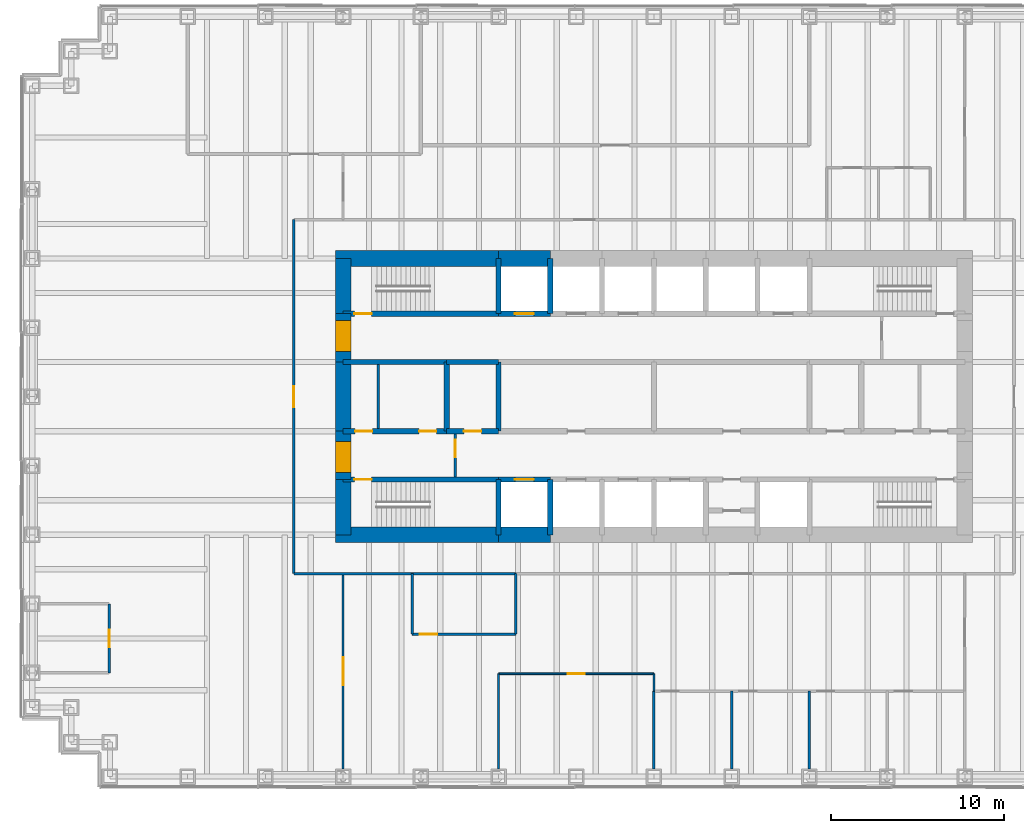
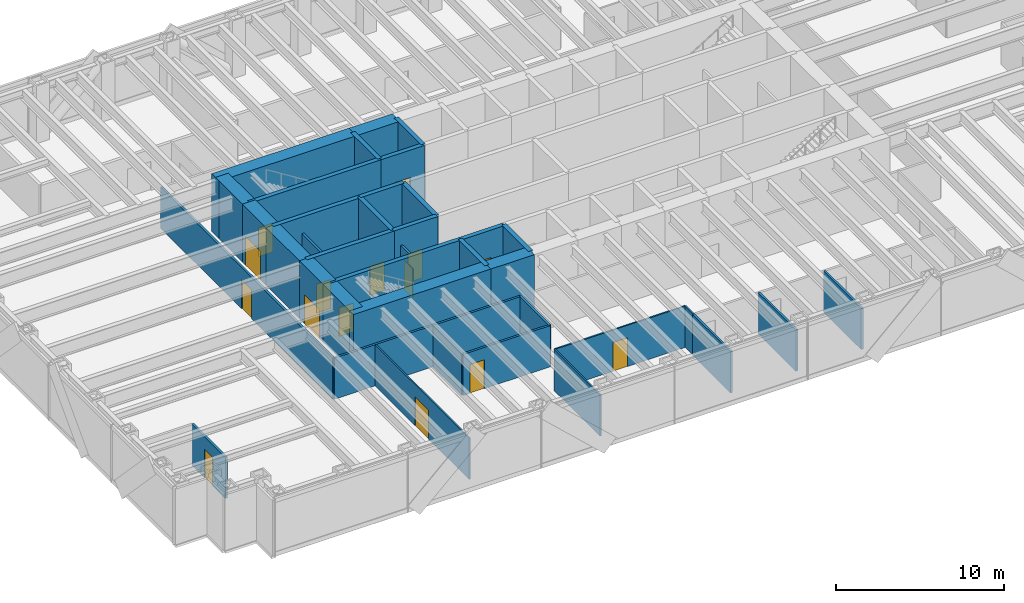
# One storey, part 11 of 15: 39 walls, 15 doors, 15 openings.
"""IFC4 building model written with IfcOpenShell, lengths in metres."""

from ifc_helpers import new_model, si_unit, direction, frame, frame_2d, origin, place, context, subcontext, project, spatial, rectangle, extrude, material, layer, layer_set, type_object, element, fill, save


model = new_model("IFC4")

# Units and contexts
model_context = context("Model", 3, precision=1e-05, world=origin(), true_north=direction((0.0, 1.0)))
body_context = subcontext(model_context, "Body", "Model", "MODEL_VIEW")
ifc_project = project(units=[si_unit("LENGTHUNIT", "METRE"), si_unit("AREAUNIT", "SQUARE_METRE"), si_unit("VOLUMEUNIT", "CUBIC_METRE"), si_unit("PLANEANGLEUNIT", "RADIAN"), si_unit("MASSUNIT", "GRAM", prefix="KILO")], contexts=[model_context])

# Site, building, storey
site_placement = place(None, origin())
site = spatial("IfcSite", under=ifc_project, at=site_placement, CompositionType="ELEMENT")
building_placement = place(site_placement, origin())
building = spatial("IfcBuilding", under=site, at=building_placement, Name="Rheinbord Bourse Tower", CompositionType="ELEMENT")
storey_placement = place(building_placement, frame((0.0, 0.0, 134.10009765625)))
storey = spatial("IfcBuildingStorey", under=building, at=storey_placement, Name="L29", CompositionType="ELEMENT", Elevation=134.10009765625)

# Wall, opening, door
ifc_material_1 = material(Name="Concrete C50/60", Category="concrete")
ifc_layer_1 = layer(ifc_material_1, 0.300048828125)
ifc_layer_set_1 = layer_set([ifc_layer_1], Name="CORE INNER WALL 300")
wall_type_1 = type_object("IfcWallType", Name="CORE INNER WALL 300", PredefinedType="SOLIDWALL", material=ifc_layer_set_1)
wall_1_placement = place(storey_placement, frame((18.0, 19.199951171875, 0.0), z_axis=(0.0, 0.0, 1.0), x_axis=(1.0, 0.0, 0.0)))
wall_1 = element("IfcWall", 1, at=wall_1_placement, inside=storey, type_object=wall_type_1, Name="Core wall A1 L29", PredefinedType="SOLIDWALL", context=body_context, shape_type="SweptSolid", body=[
    extrude(rectangle(XDim=9.0, YDim=0.300048828125, at=frame_2d((4.5, 0.0))), origin(), (0.0, 0.0, 1.0), 4.199951171875),
])
opening_1_placement = place(wall_1_placement, frame((0.64990234375, 0.0, 0.0)))
opening_1 = element("IfcOpeningElement", 2, at=opening_1_placement, cuts=wall_1, Name="Opening 2910", PredefinedType="OPENING", context=body_context, shape_type="SweptSolid", body=[
    extrude(rectangle(XDim=1.0, YDim=2.10009765625, at=frame_2d((0.5, 1.050048828125))), frame((0.0, 0.159912109375, 0.0), z_axis=(0.0, -1.0, 0.0), x_axis=(1.0, 0.0, 0.0)), (0.0, 0.0, 1.0), 0.320068359375),
])
ifc_material_2 = material(Name="Steel door", Category="steel")
door_type_1 = type_object("IfcDoorType", Name="DOOR 1000 EI30", OperationType="SINGLE_SWING_LEFT", PredefinedType="DOOR", material=ifc_material_2)
door_1_placement = place(opening_1_placement, origin())
door_1 = element("IfcDoor", 3, at=door_1_placement, inside=storey, type_object=door_type_1, Name="Stair door ST1 L29", OperationType="SINGLE_SWING_LEFT", OverallHeight=2.10009765625, OverallWidth=1.0, PredefinedType="DOOR", context=body_context, shape_type="SweptSolid", body=[
    extrude(rectangle(XDim=1.0, YDim=2.10009765625, at=frame_2d((0.5, 1.050048828125))), frame((0.0, 0.02490234375, 0.0), z_axis=(0.0, -1.0, 0.0), x_axis=(1.0, 0.0, 0.0)), (0.0, 0.0, 1.0), 0.050048828125),
])
fill(opening_1, door_1)

wall_2_placement = place(storey_placement, frame((27.0, 19.199951171875, 0.0), z_axis=(0.0, 0.0, 1.0), x_axis=(1.0, 0.0, 0.0)))
wall_2 = element("IfcWall", 4, at=wall_2_placement, inside=storey, type_object=wall_type_1, Name="Core wall A2 L29", PredefinedType="SOLIDWALL", context=body_context, shape_type="SweptSolid", body=[
    extrude(rectangle(XDim=3.0, YDim=0.300048828125, at=frame_2d((1.5, 0.0))), origin(), (0.0, 0.0, 1.0), 4.199951171875),
])
opening_2_placement = place(wall_2_placement, frame((0.949951171875, 0.0, 0.0)))
opening_2 = element("IfcOpeningElement", 5, at=opening_2_placement, cuts=wall_2, Name="Opening FL1", PredefinedType="OPENING", context=body_context, shape_type="SweptSolid", body=[
    extrude(rectangle(XDim=1.10009765625, YDim=2.199951171875, at=frame_2d((0.550048828125, 1.10009765625))), frame((0.0, 0.159912109375, 0.0), z_axis=(0.0, -1.0, 0.0), x_axis=(1.0, 0.0, 0.0)), (0.0, 0.0, 1.0), 0.320068359375),
])
ifc_material_3 = material(Name="Steel landing door", Category="steel")
door_type_2 = type_object("IfcDoorType", Name="LIFT LANDING DOOR 1100", OperationType="DOUBLE_DOOR_SLIDING", PredefinedType="USERDEFINED", material=ifc_material_3)
door_2_placement = place(opening_2_placement, origin())
door_2 = element("IfcDoor", 6, at=door_2_placement, inside=storey, type_object=door_type_2, Name="Lift landing door FL1 L29", ObjectType="LIFT LANDING DOOR", OperationType="DOUBLE_DOOR_SLIDING", OverallHeight=2.199951171875, OverallWidth=1.10009765625, PredefinedType="USERDEFINED", context=body_context, shape_type="SweptSolid", body=[
    extrude(rectangle(XDim=1.10009765625, YDim=2.199951171875, at=frame_2d((0.550048828125, 1.10009765625))), frame((0.0, 0.02490234375, 0.0), z_axis=(0.0, -1.0, 0.0), x_axis=(1.0, 0.0, 0.0)), (0.0, 0.0, 1.0), 0.050048828125),
])
fill(opening_2, door_2)

wall_3_placement = place(storey_placement, frame((18.0, 28.800048828125, 0.0), z_axis=(0.0, 0.0, 1.0), x_axis=(1.0, 0.0, 0.0)))
wall_3 = element("IfcWall", 7, at=wall_3_placement, inside=storey, type_object=wall_type_1, Name="Core wall B1 L29", PredefinedType="SOLIDWALL", context=body_context, shape_type="SweptSolid", body=[
    extrude(rectangle(XDim=9.0, YDim=0.300048828125, at=frame_2d((4.5, 0.0))), origin(), (0.0, 0.0, 1.0), 4.199951171875),
])
opening_3_placement = place(wall_3_placement, frame((0.64990234375, 0.0, 0.0)))
opening_3 = element("IfcOpeningElement", 8, at=opening_3_placement, cuts=wall_3, Name="Opening 2920", PredefinedType="OPENING", context=body_context, shape_type="SweptSolid", body=[
    extrude(rectangle(XDim=1.0, YDim=2.10009765625, at=frame_2d((0.5, 1.050048828125))), frame((0.0, 0.159912109375, 0.0), z_axis=(0.0, -1.0, 0.0), x_axis=(1.0, 0.0, 0.0)), (0.0, 0.0, 1.0), 0.320068359375),
])
door_3_placement = place(opening_3_placement, origin())
door_3 = element("IfcDoor", 9, at=door_3_placement, inside=storey, type_object=door_type_1, Name="Stair door ST2 L29", OperationType="SINGLE_SWING_LEFT", OverallHeight=2.10009765625, OverallWidth=1.0, PredefinedType="DOOR", context=body_context, shape_type="SweptSolid", body=[
    extrude(rectangle(XDim=1.0, YDim=2.10009765625, at=frame_2d((0.5, 1.050048828125))), frame((0.0, 0.02490234375, 0.0), z_axis=(0.0, -1.0, 0.0), x_axis=(1.0, 0.0, 0.0)), (0.0, 0.0, 1.0), 0.050048828125),
])
fill(opening_3, door_3)

wall_4_placement = place(storey_placement, frame((27.0, 28.800048828125, 0.0), z_axis=(0.0, 0.0, 1.0), x_axis=(1.0, 0.0, 0.0)))
wall_4 = element("IfcWall", 10, at=wall_4_placement, inside=storey, type_object=wall_type_1, Name="Core wall B2 L29", PredefinedType="SOLIDWALL", context=body_context, shape_type="SweptSolid", body=[
    extrude(rectangle(XDim=3.0, YDim=0.300048828125, at=frame_2d((1.5, 0.0))), origin(), (0.0, 0.0, 1.0), 4.199951171875),
])
opening_4_placement = place(wall_4_placement, frame((0.949951171875, 0.0, 0.0)))
opening_4 = element("IfcOpeningElement", 11, at=opening_4_placement, cuts=wall_4, Name="Opening GL1", PredefinedType="OPENING", context=body_context, shape_type="SweptSolid", body=[
    extrude(rectangle(XDim=1.10009765625, YDim=2.199951171875, at=frame_2d((0.550048828125, 1.10009765625))), frame((0.0, 0.159912109375, 0.0), z_axis=(0.0, -1.0, 0.0), x_axis=(1.0, 0.0, 0.0)), (0.0, 0.0, 1.0), 0.320068359375),
])
door_4_placement = place(opening_4_placement, origin())
door_4 = element("IfcDoor", 12, at=door_4_placement, inside=storey, type_object=door_type_2, Name="Lift landing door GL1 L29", ObjectType="LIFT LANDING DOOR", OperationType="DOUBLE_DOOR_SLIDING", OverallHeight=2.199951171875, OverallWidth=1.10009765625, PredefinedType="USERDEFINED", context=body_context, shape_type="SweptSolid", body=[
    extrude(rectangle(XDim=1.10009765625, YDim=2.199951171875, at=frame_2d((0.550048828125, 1.10009765625))), frame((0.0, 0.02490234375, 0.0), z_axis=(0.0, -1.0, 0.0), x_axis=(1.0, 0.0, 0.0)), (0.0, 0.0, 1.0), 0.050048828125),
])
fill(opening_4, door_4)

# Wall, openings, doors
wall_5_placement = place(storey_placement, frame((18.0, 22.0, 0.0), z_axis=(0.0, 0.0, 1.0), x_axis=(1.0, 0.0, 0.0)))
wall_5 = element("IfcWall", 13, at=wall_5_placement, inside=storey, type_object=wall_type_1, Name="Core wall C1 L29", PredefinedType="SOLIDWALL", context=body_context, shape_type="SweptSolid", body=[
    extrude(rectangle(XDim=6.0, YDim=0.300048828125, at=frame_2d((3.0, 0.0))), origin(), (0.0, 0.0, 1.0), 4.199951171875),
])
opening_5_placement = place(wall_5_placement, frame((4.39990234375, 0.0, 0.0)))
opening_5 = element("IfcOpeningElement", 14, at=opening_5_placement, cuts=wall_5, Name="Opening 29R1", PredefinedType="OPENING", context=body_context, shape_type="SweptSolid", body=[
    extrude(rectangle(XDim=1.0, YDim=2.10009765625, at=frame_2d((0.5, 1.050048828125))), frame((0.0, 0.159912109375, 0.0), z_axis=(0.0, -1.0, 0.0), x_axis=(1.0, 0.0, 0.0)), (0.0, 0.0, 1.0), 0.320068359375),
])
opening_6_placement = place(wall_5_placement, frame((0.699951171875, 0.0, 0.0)))
opening_6 = element("IfcOpeningElement", 15, at=opening_6_placement, cuts=wall_5, Name="Opening 29R9", PredefinedType="OPENING", context=body_context, shape_type="SweptSolid", body=[
    extrude(rectangle(XDim=1.0, YDim=2.10009765625, at=frame_2d((0.5, 1.050048828125))), frame((0.0, 0.159912109375, 0.0), z_axis=(0.0, -1.0, 0.0), x_axis=(1.0, 0.0, 0.0)), (0.0, 0.0, 1.0), 0.320068359375),
])
door_5_placement = place(opening_6_placement, origin())
door_5 = element("IfcDoor", 16, at=door_5_placement, inside=storey, type_object=door_type_1, Name="Staff shower door L29", OperationType="SINGLE_SWING_LEFT", OverallHeight=2.10009765625, OverallWidth=1.0, PredefinedType="DOOR", context=body_context, shape_type="SweptSolid", body=[
    extrude(rectangle(XDim=1.0, YDim=2.10009765625, at=frame_2d((0.5, 1.050048828125))), frame((0.0, 0.02490234375, 0.0), z_axis=(0.0, -1.0, 0.0), x_axis=(1.0, 0.0, 0.0)), (0.0, 0.0, 1.0), 0.050048828125),
])
fill(opening_6, door_5)
ifc_material_4 = material(Name="Timber door", Category="wood")
door_type_3 = type_object("IfcDoorType", Name="DOOR 1000 WC", OperationType="SINGLE_SWING_LEFT", PredefinedType="DOOR", material=ifc_material_4)
door_6_placement = place(opening_5_placement, origin())
door_6 = element("IfcDoor", 17, at=door_6_placement, inside=storey, type_object=door_type_3, Name="WC men door L29", OperationType="SINGLE_SWING_RIGHT", OverallHeight=2.10009765625, OverallWidth=1.0, PredefinedType="DOOR", context=body_context, shape_type="SweptSolid", body=[
    extrude(rectangle(XDim=1.0, YDim=2.10009765625, at=frame_2d((0.5, 1.050048828125))), frame((0.0, 0.02490234375, 0.0), z_axis=(0.0, -1.0, 0.0), x_axis=(1.0, 0.0, 0.0)), (0.0, 0.0, 1.0), 0.050048828125),
])
fill(opening_5, door_6)

# Wall, opening, door
wall_6_placement = place(storey_placement, frame((24.0, 22.0, 0.0), z_axis=(0.0, 0.0, 1.0), x_axis=(1.0, 0.0, 0.0)))
wall_6 = element("IfcWall", 18, at=wall_6_placement, inside=storey, type_object=wall_type_1, Name="Core wall C2 L29", PredefinedType="SOLIDWALL", context=body_context, shape_type="SweptSolid", body=[
    extrude(rectangle(XDim=3.0, YDim=0.300048828125, at=frame_2d((1.5, 0.0))), origin(), (0.0, 0.0, 1.0), 4.199951171875),
])
opening_7_placement = place(wall_6_placement, frame((1.0, 0.0, 0.0)))
opening_7 = element("IfcOpeningElement", 19, at=opening_7_placement, cuts=wall_6, Name="Opening 29R2", PredefinedType="OPENING", context=body_context, shape_type="SweptSolid", body=[
    extrude(rectangle(XDim=1.0, YDim=2.10009765625, at=frame_2d((0.5, 1.050048828125))), frame((0.0, 0.159912109375, 0.0), z_axis=(0.0, -1.0, 0.0), x_axis=(1.0, 0.0, 0.0)), (0.0, 0.0, 1.0), 0.320068359375),
])
door_7_placement = place(opening_7_placement, origin())
door_7 = element("IfcDoor", 20, at=door_7_placement, inside=storey, type_object=door_type_1, Name="First aid room door L29", OperationType="SINGLE_SWING_LEFT", OverallHeight=2.10009765625, OverallWidth=1.0, PredefinedType="DOOR", context=body_context, shape_type="SweptSolid", body=[
    extrude(rectangle(XDim=1.0, YDim=2.10009765625, at=frame_2d((0.5, 1.050048828125))), frame((0.0, 0.02490234375, 0.0), z_axis=(0.0, -1.0, 0.0), x_axis=(1.0, 0.0, 0.0)), (0.0, 0.0, 1.0), 0.050048828125),
])
fill(opening_7, door_7)

# Walls
wall_7_placement = place(storey_placement, frame((18.0, 26.0, 0.0), z_axis=(0.0, 0.0, 1.0), x_axis=(1.0, 0.0, 0.0)))
element("IfcWall", 21, at=wall_7_placement, inside=storey, type_object=wall_type_1, Name="Core wall D1 L29", PredefinedType="SOLIDWALL", context=body_context, shape_type="SweptSolid", body=[
    extrude(rectangle(XDim=6.0, YDim=0.300048828125, at=frame_2d((3.0, 0.0))), origin(), (0.0, 0.0, 1.0), 4.199951171875),
])
wall_8_placement = place(storey_placement, frame((24.0, 26.0, 0.0), z_axis=(0.0, 0.0, 1.0), x_axis=(1.0, 0.0, 0.0)))
element("IfcWall", 22, at=wall_8_placement, inside=storey, type_object=wall_type_1, Name="Core wall D2 L29", PredefinedType="SOLIDWALL", context=body_context, shape_type="SweptSolid", body=[
    extrude(rectangle(XDim=3.0, YDim=0.300048828125, at=frame_2d((1.5, 0.0))), origin(), (0.0, 0.0, 1.0), 4.199951171875),
])
for number, where, z_axis, x_axis, name in (
    (23, (27.0, 16.0, 0.0), (0.0, 0.0, 1.0), (0.0, 1.0, 0.0), "Core wall SX27 L29"),
    (24, (27.0, 28.800048828125, 0.0), (0.0, 0.0, 1.0), (0.0, 1.0, 0.0), "Core wall NX27 L29"),
    (25, (30.0, 16.0, 0.0), (0.0, 0.0, 1.0), (0.0, 1.0, 0.0), "Core wall SX30 L29"),
    (26, (30.0, 28.800048828125, 0.0), (0.0, 0.0, 1.0), (0.0, 1.0, 0.0), "Core wall NX30 L29"),
):
    element("IfcWall", number, at=place(storey_placement, frame(where, z_axis=z_axis, x_axis=x_axis)), inside=storey, type_object=wall_type_1, Name=name, PredefinedType="SOLIDWALL", context=body_context, shape_type="SweptSolid", body=[
        extrude(rectangle(XDim=3.199951171875, YDim=0.300048828125, at=frame_2d((1.60009765625, 0.0))), origin(), (0.0, 0.0, 1.0), 4.199951171875),
    ])
for number, where, z_axis, x_axis, name in (
    (27, (24.0, 22.0, 0.0), (0.0, 0.0, 1.0), (0.0, 1.0, 0.0), "Core wall MX24 L29"),
    (28, (27.0, 22.0, 0.0), (0.0, 0.0, 1.0), (0.0, 1.0, 0.0), "Core wall MX27 L29"),
):
    element("IfcWall", number, at=place(storey_placement, frame(where, z_axis=z_axis, x_axis=x_axis)), inside=storey, type_object=wall_type_1, Name=name, PredefinedType="SOLIDWALL", context=body_context, shape_type="SweptSolid", body=[
        extrude(rectangle(XDim=4.0, YDim=0.300048828125, at=frame_2d((2.0, 0.0))), origin(), (0.0, 0.0, 1.0), 4.199951171875),
    ])
ifc_material_5 = material(Name="Gypsum board fire partition", Category="gypsum board")
ifc_layer_2 = layer(ifc_material_5, 0.14990234375)
ifc_layer_set_2 = layer_set([ifc_layer_2], Name="CORE PARTITION 150 EI30")
wall_type_2 = type_object("IfcWallType", Name="CORE PARTITION 150 EI30", PredefinedType="PARTITIONING", material=ifc_layer_set_2)
wall_9_placement = place(storey_placement, frame((20.02490234375, 22.14990234375, 0.0), z_axis=(0.0, 0.0, 1.0), x_axis=(0.0, 1.0, 0.0)))
element("IfcWall", 29, at=wall_9_placement, inside=storey, type_object=wall_type_2, Name="Core partition L29-2", PredefinedType="PARTITIONING", context=body_context, shape_type="SweptSolid", body=[
    extrude(rectangle(XDim=3.7001953125, YDim=0.14990234375, at=frame_2d((1.85009765625, 0.0))), origin(), (0.0, 0.0, 1.0), 3.0),
])

# Wall, opening, door
wall_10_placement = place(storey_placement, frame((24.5, 19.35009765625, 0.0), z_axis=(0.0, 0.0, 1.0), x_axis=(0.0, 1.0, 0.0)))
wall_10 = element("IfcWall", 30, at=wall_10_placement, inside=storey, type_object=wall_type_2, Name="Core partition L29-4", PredefinedType="PARTITIONING", context=body_context, shape_type="SweptSolid", body=[
    extrude(rectangle(XDim=2.5, YDim=0.14990234375, at=frame_2d((1.25, 0.0))), origin(), (0.0, 0.0, 1.0), 3.0),
])
opening_8_placement = place(wall_10_placement, frame((1.14990234375, 0.0, 0.0)))
opening_8 = element("IfcOpeningElement", 31, at=opening_8_placement, cuts=wall_10, Name="Opening 29L5", PredefinedType="OPENING", context=body_context, shape_type="SweptSolid", body=[
    extrude(rectangle(XDim=1.0, YDim=2.10009765625, at=frame_2d((0.5, 1.050048828125))), frame((0.0, 0.0849609375, 0.0), z_axis=(0.0, -1.0, 0.0), x_axis=(1.0, 0.0, 0.0)), (0.0, 0.0, 1.0), 0.169921875),
])
door_8_placement = place(opening_8_placement, origin())
door_8 = element("IfcDoor", 32, at=door_8_placement, inside=storey, type_object=door_type_1, Name="Stair lobby door L29", OperationType="SINGLE_SWING_RIGHT", OverallHeight=2.10009765625, OverallWidth=1.0, PredefinedType="DOOR", context=body_context, shape_type="SweptSolid", body=[
    extrude(rectangle(XDim=1.0, YDim=2.10009765625, at=frame_2d((0.5, 1.050048828125))), frame((0.0, 0.02490234375, 0.0), z_axis=(0.0, -1.0, 0.0), x_axis=(1.0, 0.0, 0.0)), (0.0, 0.0, 1.0), 0.050048828125),
])
fill(opening_8, door_8)

# Walls
ifc_material_6 = material(Name="Concrete C50/60", Category="concrete")
ifc_layer_3 = layer(ifc_material_6, 0.89990234375)
ifc_layer_set_3 = layer_set([ifc_layer_3], Name="CORE WALL 900")
wall_type_3 = type_object("IfcWallType", Name="CORE WALL 900", PredefinedType="SHEAR", material=ifc_layer_set_3)
wall_11_placement = place(storey_placement, frame((17.550048828125, 16.0, 0.0), z_axis=(0.0, 0.0, 1.0), x_axis=(1.0, 0.0, 0.0)))
element("IfcWall", 33, at=wall_11_placement, inside=storey, type_object=wall_type_3, Name="Core wall S1 L29", PredefinedType="SHEAR", context=body_context, shape_type="SweptSolid", body=[
    extrude(rectangle(XDim=9.449951171875, YDim=0.89990234375, at=frame_2d((4.72509765625, 0.0))), origin(), (0.0, 0.0, 1.0), 4.199951171875),
])
for number, where, z_axis, x_axis, name in (
    (34, (27.0, 16.0, 0.0), (0.0, 0.0, 1.0), (1.0, 0.0, 0.0), "Core wall S2 L29"),
    (35, (30.0, 32.0, 0.0), (0.0, 0.0, 1.0), (-1.0, 0.0, 0.0), "Core wall N7 L29"),
):
    element("IfcWall", number, at=place(storey_placement, frame(where, z_axis=z_axis, x_axis=x_axis)), inside=storey, type_object=wall_type_3, Name=name, PredefinedType="SHEAR", context=body_context, shape_type="SweptSolid", body=[
        extrude(rectangle(XDim=3.0, YDim=0.89990234375, at=frame_2d((1.5, 0.0))), origin(), (0.0, 0.0, 1.0), 4.199951171875),
    ])
wall_12_placement = place(storey_placement, frame((27.0, 32.0, 0.0), z_axis=(0.0, 0.0, 1.0), x_axis=(-1.0, 0.0, 0.0)))
element("IfcWall", 36, at=wall_12_placement, inside=storey, type_object=wall_type_3, Name="Core wall N8 L29", PredefinedType="SHEAR", context=body_context, shape_type="SweptSolid", body=[
    extrude(rectangle(XDim=9.449951171875, YDim=0.89990234375, at=frame_2d((4.72509765625, 0.0))), origin(), (0.0, 0.0, 1.0), 4.199951171875),
])
wall_13_placement = place(storey_placement, frame((18.0, 32.0, 0.0), z_axis=(0.0, 0.0, 1.0), x_axis=(0.0, -1.0, 0.0)))
element("IfcWall", 37, at=wall_13_placement, inside=storey, type_object=wall_type_3, Name="Core wall W1 L29", PredefinedType="SHEAR", context=body_context, shape_type="SweptSolid", body=[
    extrude(rectangle(XDim=3.199951171875, YDim=0.89990234375, at=frame_2d((1.60009765625, 0.0))), origin(), (0.0, 0.0, 1.0), 4.199951171875),
])

# Wall, opening, door
wall_14_placement = place(storey_placement, frame((18.0, 28.800048828125, 0.0), z_axis=(0.0, 0.0, 1.0), x_axis=(0.0, -1.0, 0.0)))
wall_14 = element("IfcWall", 38, at=wall_14_placement, inside=storey, type_object=wall_type_3, Name="Core wall W2 L29", PredefinedType="SHEAR", context=body_context, shape_type="SweptSolid", body=[
    extrude(rectangle(XDim=2.800048828125, YDim=0.89990234375, at=frame_2d((1.39990234375, 0.0))), origin(), (0.0, 0.0, 1.0), 4.199951171875),
])
opening_9_placement = place(wall_14_placement, frame((0.39990234375, 0.0, 0.0)))
opening_9 = element("IfcOpeningElement", 39, at=opening_9_placement, cuts=wall_14, Name="Opening 29L2", PredefinedType="OPENING", context=body_context, shape_type="SweptSolid", body=[
    extrude(rectangle(XDim=1.800048828125, YDim=2.10009765625, at=frame_2d((0.89990234375, 1.050048828125))), frame((0.0, 0.4599609375, 0.0), z_axis=(0.0, -1.0, 0.0), x_axis=(1.0, 0.0, 0.0)), (0.0, 0.0, 1.0), 0.919921875),
])
ifc_material_7 = material(Name="Steel door", Category="steel")
door_type_4 = type_object("IfcDoorType", Name="DOOR 1800 EI30 DOUBLE", OperationType="DOUBLE_DOOR_DOUBLE_SWING", PredefinedType="DOOR", material=ifc_material_7)
door_9_placement = place(opening_9_placement, origin())
door_9 = element("IfcDoor", 40, at=door_9_placement, inside=storey, type_object=door_type_4, Name="Lobby door 2 L29", OperationType="SINGLE_SWING_LEFT", OverallHeight=2.10009765625, OverallWidth=1.800048828125, PredefinedType="DOOR", context=body_context, shape_type="SweptSolid", body=[
    extrude(rectangle(XDim=1.800048828125, YDim=2.10009765625, at=frame_2d((0.89990234375, 1.050048828125))), frame((0.0, 0.44970703125, 0.0), z_axis=(0.0, -1.0, 0.0), x_axis=(1.0, 0.0, 0.0)), (0.0, 0.0, 1.0), 0.8994140625),
])
fill(opening_9, door_9)

# Wall
wall_15_placement = place(storey_placement, frame((18.0, 26.0, 0.0), z_axis=(0.0, 0.0, 1.0), x_axis=(0.0, -1.0, 0.0)))
element("IfcWall", 41, at=wall_15_placement, inside=storey, type_object=wall_type_3, Name="Core wall W3 L29", PredefinedType="SHEAR", context=body_context, shape_type="SweptSolid", body=[
    extrude(rectangle(XDim=4.0, YDim=0.89990234375, at=frame_2d((2.0, 0.0))), origin(), (0.0, 0.0, 1.0), 4.199951171875),
])

# Wall, opening, door
wall_16_placement = place(storey_placement, frame((18.0, 22.0, 0.0), z_axis=(0.0, 0.0, 1.0), x_axis=(0.0, -1.0, 0.0)))
wall_16 = element("IfcWall", 42, at=wall_16_placement, inside=storey, type_object=wall_type_3, Name="Core wall W4 L29", PredefinedType="SHEAR", context=body_context, shape_type="SweptSolid", body=[
    extrude(rectangle(XDim=2.800048828125, YDim=0.89990234375, at=frame_2d((1.39990234375, 0.0))), origin(), (0.0, 0.0, 1.0), 4.199951171875),
])
opening_10_placement = place(wall_16_placement, frame((0.60009765625, 0.0, 0.0)))
opening_10 = element("IfcOpeningElement", 43, at=opening_10_placement, cuts=wall_16, Name="Opening 29L1", PredefinedType="OPENING", context=body_context, shape_type="SweptSolid", body=[
    extrude(rectangle(XDim=1.800048828125, YDim=2.10009765625, at=frame_2d((0.89990234375, 1.050048828125))), frame((0.0, 0.4599609375, 0.0), z_axis=(0.0, -1.0, 0.0), x_axis=(1.0, 0.0, 0.0)), (0.0, 0.0, 1.0), 0.919921875),
])
door_10_placement = place(opening_10_placement, origin())
door_10 = element("IfcDoor", 44, at=door_10_placement, inside=storey, type_object=door_type_4, Name="Lobby door 1 L29", OperationType="SINGLE_SWING_LEFT", OverallHeight=2.10009765625, OverallWidth=1.800048828125, PredefinedType="DOOR", context=body_context, shape_type="SweptSolid", body=[
    extrude(rectangle(XDim=1.800048828125, YDim=2.10009765625, at=frame_2d((0.89990234375, 1.050048828125))), frame((0.0, 0.44970703125, 0.0), z_axis=(0.0, -1.0, 0.0), x_axis=(1.0, 0.0, 0.0)), (0.0, 0.0, 1.0), 0.8994140625),
])
fill(opening_10, door_10)

# Walls
wall_17_placement = place(storey_placement, frame((18.0, 19.199951171875, 0.0), z_axis=(0.0, 0.0, 1.0), x_axis=(0.0, -1.0, 0.0)))
element("IfcWall", 45, at=wall_17_placement, inside=storey, type_object=wall_type_3, Name="Core wall W5 L29", PredefinedType="SHEAR", context=body_context, shape_type="SweptSolid", body=[
    extrude(rectangle(XDim=3.199951171875, YDim=0.89990234375, at=frame_2d((1.60009765625, 0.0))), origin(), (0.0, 0.0, 1.0), 4.199951171875),
])
ifc_material_8 = material(Name="Gypsum board corridor partition", Category="gypsum board")
ifc_layer_4 = layer(ifc_material_8, 0.14990234375)
ifc_layer_set_4 = layer_set([ifc_layer_4], Name="CORRIDOR PARTITION 150 EI30")
wall_type_4 = type_object("IfcWallType", Name="CORRIDOR PARTITION 150 EI30", PredefinedType="PARTITIONING", material=ifc_layer_set_4)
wall_18_placement = place(storey_placement, frame((15.14990234375, 13.75, 0.0), z_axis=(0.0, 0.0, 1.0), x_axis=(1.0, 0.0, 0.0)))
element("IfcWall", 46, at=wall_18_placement, inside=storey, type_object=wall_type_4, Name="Partition L29-08", PredefinedType="PARTITIONING", context=body_context, shape_type="SweptSolid", body=[
    extrude(rectangle(XDim=6.85009765625, YDim=0.14990234375, at=frame_2d((3.425048828125, 0.0))), origin(), (0.0, 0.0, 1.0), 3.0),
])

# Wall, opening, door
wall_19_placement = place(storey_placement, frame((15.14990234375, 13.75, 0.0), z_axis=(0.0, 0.0, 1.0), x_axis=(0.0, 1.0, 0.0)))
wall_19 = element("IfcWall", 47, at=wall_19_placement, inside=storey, type_object=wall_type_4, Name="Partition L29-22", PredefinedType="PARTITIONING", context=body_context, shape_type="SweptSolid", body=[
    extrude(rectangle(XDim=20.5, YDim=0.14990234375, at=frame_2d((10.25, 0.0))), origin(), (0.0, 0.0, 1.0), 3.0),
])
opening_11_placement = place(wall_19_placement, frame((9.64990234375, 0.0, 0.0)))
opening_11 = element("IfcOpeningElement", 48, at=opening_11_placement, cuts=wall_19, Name="Opening 29D21", PredefinedType="OPENING", context=body_context, shape_type="SweptSolid", body=[
    extrude(rectangle(XDim=1.199951171875, YDim=2.10009765625, at=frame_2d((0.60009765625, 1.050048828125))), frame((0.0, 0.0849609375, 0.0), z_axis=(0.0, -1.0, 0.0), x_axis=(1.0, 0.0, 0.0)), (0.0, 0.0, 1.0), 0.169921875),
])
ifc_material_9 = material(Name="Timber fire door", Category="wood")
door_type_5 = type_object("IfcDoorType", Name="SUITE ENTRANCE DOOR 1200 EI30", OperationType="SINGLE_SWING_LEFT", PredefinedType="DOOR", material=ifc_material_9)
door_11_placement = place(opening_11_placement, origin())
door_11 = element("IfcDoor", 49, at=door_11_placement, inside=storey, type_object=door_type_5, Name="Suite entrance 1 door L29", OperationType="SINGLE_SWING_LEFT", OverallHeight=2.10009765625, OverallWidth=1.199951171875, PredefinedType="DOOR", context=body_context, shape_type="SweptSolid", body=[
    extrude(rectangle(XDim=1.199951171875, YDim=2.10009765625, at=frame_2d((0.60009765625, 1.050048828125))), frame((0.0, 0.02490234375, 0.0), z_axis=(0.0, -1.0, 0.0), x_axis=(1.0, 0.0, 0.0)), (0.0, 0.0, 1.0), 0.050048828125),
])
fill(opening_11, door_11)

ifc_material_10 = material(Name="Gypsum board fire partition", Category="gypsum board")
ifc_layer_5 = layer(ifc_material_10, 0.14990234375)
ifc_layer_set_5 = layer_set([ifc_layer_5], Name="FIRE PARTITION 150 EI60")
wall_type_5 = type_object("IfcWallType", Name="FIRE PARTITION 150 EI60", PredefinedType="PARTITIONING", material=ifc_layer_set_5)
wall_20_placement = place(storey_placement, frame((22.0, 10.25, 0.0), z_axis=(0.0, 0.0, 1.0), x_axis=(1.0, 0.0, 0.0)))
wall_20 = element("IfcWall", 50, at=wall_20_placement, inside=storey, type_object=wall_type_5, Name="Partition L29-05", PredefinedType="PARTITIONING", context=body_context, shape_type="SweptSolid", body=[
    extrude(rectangle(XDim=6.0, YDim=0.14990234375, at=frame_2d((3.0, 0.0))), origin(), (0.0, 0.0, 1.0), 3.0),
])
opening_12_placement = place(wall_20_placement, frame((0.449951171875, 0.0, 0.0)))
opening_12 = element("IfcOpeningElement", 51, at=opening_12_placement, cuts=wall_20, Name="Opening 29D08", PredefinedType="OPENING", context=body_context, shape_type="SweptSolid", body=[
    extrude(rectangle(XDim=1.0, YDim=2.10009765625, at=frame_2d((0.5, 1.050048828125))), frame((0.0, 0.0849609375, 0.0), z_axis=(0.0, -1.0, 0.0), x_axis=(1.0, 0.0, 0.0)), (0.0, 0.0, 1.0), 0.169921875),
])
ifc_material_11 = material(Name="Timber fire door", Category="wood")
door_type_6 = type_object("IfcDoorType", Name="FIRE DOOR 1000 EI60", OperationType="SINGLE_SWING_LEFT", PredefinedType="DOOR", material=ifc_material_11)
door_12_placement = place(opening_12_placement, origin())
door_12 = element("IfcDoor", 52, at=door_12_placement, inside=storey, type_object=door_type_6, Name="Comms room door L29", OperationType="SINGLE_SWING_LEFT", OverallHeight=2.10009765625, OverallWidth=1.0, PredefinedType="DOOR", context=body_context, shape_type="SweptSolid", body=[
    extrude(rectangle(XDim=1.0, YDim=2.10009765625, at=frame_2d((0.5, 1.050048828125))), frame((0.0, 0.02490234375, 0.0), z_axis=(0.0, -1.0, 0.0), x_axis=(1.0, 0.0, 0.0)), (0.0, 0.0, 1.0), 0.050048828125),
])
fill(opening_12, door_12)

# Walls
wall_21_placement = place(storey_placement, frame((22.0, 13.75, 0.0), z_axis=(0.0, 0.0, 1.0), x_axis=(1.0, 0.0, 0.0)))
element("IfcWall", 53, at=wall_21_placement, inside=storey, type_object=wall_type_5, Name="Partition L29-09", PredefinedType="PARTITIONING", context=body_context, shape_type="SweptSolid", body=[
    extrude(rectangle(XDim=6.0, YDim=0.14990234375, at=frame_2d((3.0, 0.0))), origin(), (0.0, 0.0, 1.0), 3.0),
])
for number, where, z_axis, x_axis, name in (
    (54, (22.0, 10.25, 0.0), (0.0, 0.0, 1.0), (0.0, 1.0, 0.0), "Partition L29-25"),
    (55, (28.0, 10.25, 0.0), (0.0, 0.0, 1.0), (0.0, 1.0, 0.0), "Partition L29-28"),
):
    element("IfcWall", number, at=place(storey_placement, frame(where, z_axis=z_axis, x_axis=x_axis)), inside=storey, type_object=wall_type_5, Name=name, PredefinedType="PARTITIONING", context=body_context, shape_type="SweptSolid", body=[
        extrude(rectangle(XDim=3.5, YDim=0.14990234375, at=frame_2d((1.75, 0.0))), origin(), (0.0, 0.0, 1.0), 3.0),
    ])

# Wall, opening, door
ifc_material_12 = material(Name="Toughened laminated glass partition", Category="glass")
ifc_layer_6 = layer(ifc_material_12, 0.10009765625)
ifc_layer_set_6 = layer_set([ifc_layer_6], Name="GLAZED PARTITION 100")
wall_type_6 = type_object("IfcWallType", Name="GLAZED PARTITION 100", PredefinedType="PARTITIONING", material=ifc_layer_set_6)
wall_22_placement = place(storey_placement, frame((27.0, 7.949951171875, 0.0), z_axis=(0.0, 0.0, 1.0), x_axis=(1.0, 0.0, 0.0)))
wall_22 = element("IfcWall", 56, at=wall_22_placement, inside=storey, type_object=wall_type_6, Name="Partition L29-02", PredefinedType="PARTITIONING", context=body_context, shape_type="SweptSolid", body=[
    extrude(rectangle(XDim=9.0, YDim=0.10009765625, at=frame_2d((4.5, 0.0))), origin(), (0.0, 0.0, 1.0), 3.0),
])
opening_13_placement = place(wall_22_placement, frame((4.0, 0.0, 0.0)))
opening_13 = element("IfcOpeningElement", 57, at=opening_13_placement, cuts=wall_22, Name="Opening 29D05", PredefinedType="OPENING", context=body_context, shape_type="SweptSolid", body=[
    extrude(rectangle(XDim=1.0, YDim=2.10009765625, at=frame_2d((0.5, 1.050048828125))), frame((0.0, 0.06005859375, 0.0), z_axis=(0.0, -1.0, 0.0), x_axis=(1.0, 0.0, 0.0)), (0.0, 0.0, 1.0), 0.1201171875),
])
ifc_material_13 = material(Name="Timber door", Category="wood")
door_type_7 = type_object("IfcDoorType", Name="ROOM DOOR 1000", OperationType="SINGLE_SWING_LEFT", PredefinedType="DOOR", material=ifc_material_13)
door_13_placement = place(opening_13_placement, origin())
door_13 = element("IfcDoor", 58, at=door_13_placement, inside=storey, type_object=door_type_7, Name="Meeting room door L29", OperationType="SINGLE_SWING_LEFT", OverallHeight=2.10009765625, OverallWidth=1.0, PredefinedType="DOOR", context=body_context, shape_type="SweptSolid", body=[
    extrude(rectangle(XDim=1.0, YDim=2.10009765625, at=frame_2d((0.5, 1.050048828125))), frame((0.0, 0.02490234375, 0.0), z_axis=(0.0, -1.0, 0.0), x_axis=(1.0, 0.0, 0.0)), (0.0, 0.0, 1.0), 0.050048828125),
])
fill(opening_13, door_13)

wall_23_placement = place(storey_placement, frame((18.0, 2.449951171875, 0.0), z_axis=(0.0, 0.0, 1.0), x_axis=(0.0, 1.0, 0.0)))
wall_23 = element("IfcWall", 59, at=wall_23_placement, inside=storey, type_object=wall_type_6, Name="Partition L29-23", PredefinedType="PARTITIONING", context=body_context, shape_type="SweptSolid", body=[
    extrude(rectangle(XDim=11.300048828125, YDim=0.10009765625, at=frame_2d((5.64990234375, 0.0))), origin(), (0.0, 0.0, 1.0), 3.0),
])
opening_14_placement = place(wall_23_placement, frame((4.85009765625, 0.0, 0.0)))
opening_14 = element("IfcOpeningElement", 60, at=opening_14_placement, cuts=wall_23, Name="Opening 29D17", PredefinedType="OPENING", context=body_context, shape_type="SweptSolid", body=[
    extrude(rectangle(XDim=1.60009765625, YDim=2.10009765625, at=frame_2d((0.800048828125, 1.050048828125))), frame((0.0, 0.06005859375, 0.0), z_axis=(0.0, -1.0, 0.0), x_axis=(1.0, 0.0, 0.0)), (0.0, 0.0, 1.0), 0.1201171875),
])
ifc_material_14 = material(Name="Timber door", Category="wood")
door_type_8 = type_object("IfcDoorType", Name="DOUBLE ROOM DOOR 1600", OperationType="DOUBLE_DOOR_DOUBLE_SWING", PredefinedType="DOOR", material=ifc_material_14)
door_14_placement = place(opening_14_placement, origin())
door_14 = element("IfcDoor", 61, at=door_14_placement, inside=storey, type_object=door_type_8, Name="Open area door L29", OperationType="SINGLE_SWING_LEFT", OverallHeight=2.10009765625, OverallWidth=1.60009765625, PredefinedType="DOOR", context=body_context, shape_type="SweptSolid", body=[
    extrude(rectangle(XDim=1.60009765625, YDim=2.10009765625, at=frame_2d((0.800048828125, 1.050048828125))), frame((0.0, 0.02490234375, 0.0), z_axis=(0.0, -1.0, 0.0), x_axis=(1.0, 0.0, 0.0)), (0.0, 0.0, 1.0), 0.050048828125),
])
fill(opening_14, door_14)

# Walls
wall_24_placement = place(storey_placement, frame((27.0, 2.449951171875, 0.0), z_axis=(0.0, 0.0, 1.0), x_axis=(0.0, 1.0, 0.0)))
element("IfcWall", 62, at=wall_24_placement, inside=storey, type_object=wall_type_6, Name="Partition L29-27", PredefinedType="PARTITIONING", context=body_context, shape_type="SweptSolid", body=[
    extrude(rectangle(XDim=5.5, YDim=0.10009765625, at=frame_2d((2.75, 0.0))), origin(), (0.0, 0.0, 1.0), 3.0),
])
wall_25_placement = place(storey_placement, frame((36.0, 6.949951171875, 0.0), z_axis=(0.0, 0.0, 1.0), x_axis=(0.0, 1.0, 0.0)))
element("IfcWall", 63, at=wall_25_placement, inside=storey, type_object=wall_type_6, Name="Partition L29-30", PredefinedType="PARTITIONING", context=body_context, shape_type="SweptSolid", body=[
    extrude(rectangle(XDim=1.0, YDim=0.10009765625, at=frame_2d((0.5, 0.0))), origin(), (0.0, 0.0, 1.0), 3.0),
])

# Wall, opening, door
ifc_material_15 = material(Name="Gypsum board partition", Category="gypsum board")
ifc_layer_7 = layer(ifc_material_15, 0.14990234375)
ifc_layer_set_7 = layer_set([ifc_layer_7], Name="PARTITION 150")
wall_type_7 = type_object("IfcWallType", Name="PARTITION 150", PredefinedType="PARTITIONING", material=ifc_layer_set_7)
wall_26_placement = place(storey_placement, frame((4.449951171875, 8.0, 0.0), z_axis=(0.0, 0.0, 1.0), x_axis=(0.0, 1.0, 0.0)))
wall_26 = element("IfcWall", 64, at=wall_26_placement, inside=storey, type_object=wall_type_7, Name="Partition L29-20", PredefinedType="PARTITIONING", context=body_context, shape_type="SweptSolid", body=[
    extrude(rectangle(XDim=4.0, YDim=0.14990234375, at=frame_2d((2.0, 0.0))), origin(), (0.0, 0.0, 1.0), 3.0),
])
opening_15_placement = place(wall_26_placement, frame((1.5, 0.0, 0.0)))
opening_15 = element("IfcOpeningElement", 65, at=opening_15_placement, cuts=wall_26, Name="Opening 29D06", PredefinedType="OPENING", context=body_context, shape_type="SweptSolid", body=[
    extrude(rectangle(XDim=1.0, YDim=2.10009765625, at=frame_2d((0.5, 1.050048828125))), frame((0.0, 0.0849609375, 0.0), z_axis=(0.0, -1.0, 0.0), x_axis=(1.0, 0.0, 0.0)), (0.0, 0.0, 1.0), 0.169921875),
])
door_15_placement = place(opening_15_placement, origin())
door_15 = element("IfcDoor", 66, at=door_15_placement, inside=storey, type_object=door_type_7, Name="Print room door L29", OperationType="SINGLE_SWING_LEFT", OverallHeight=2.10009765625, OverallWidth=1.0, PredefinedType="DOOR", context=body_context, shape_type="SweptSolid", body=[
    extrude(rectangle(XDim=1.0, YDim=2.10009765625, at=frame_2d((0.5, 1.050048828125))), frame((0.0, 0.02490234375, 0.0), z_axis=(0.0, -1.0, 0.0), x_axis=(1.0, 0.0, 0.0)), (0.0, 0.0, 1.0), 0.050048828125),
])
fill(opening_15, door_15)

# Walls
for number, where, z_axis, x_axis, name in (
    (67, (36.0, 2.449951171875, 0.0), (0.0, 0.0, 1.0), (0.0, 1.0, 0.0), "Partition L29-29"),
    (68, (40.5, 2.449951171875, 0.0), (0.0, 0.0, 1.0), (0.0, 1.0, 0.0), "Partition L29-31"),
    (69, (45.0, 2.449951171875, 0.0), (0.0, 0.0, 1.0), (0.0, 1.0, 0.0), "Partition L29-32"),
):
    element("IfcWall", number, at=place(storey_placement, frame(where, z_axis=z_axis, x_axis=x_axis)), inside=storey, type_object=wall_type_7, Name=name, PredefinedType="PARTITIONING", context=body_context, shape_type="SweptSolid", body=[
        extrude(rectangle(XDim=4.5, YDim=0.14990234375, at=frame_2d((2.25, 0.0))), origin(), (0.0, 0.0, 1.0), 3.0),
    ])

save(model, "model.ifc")
